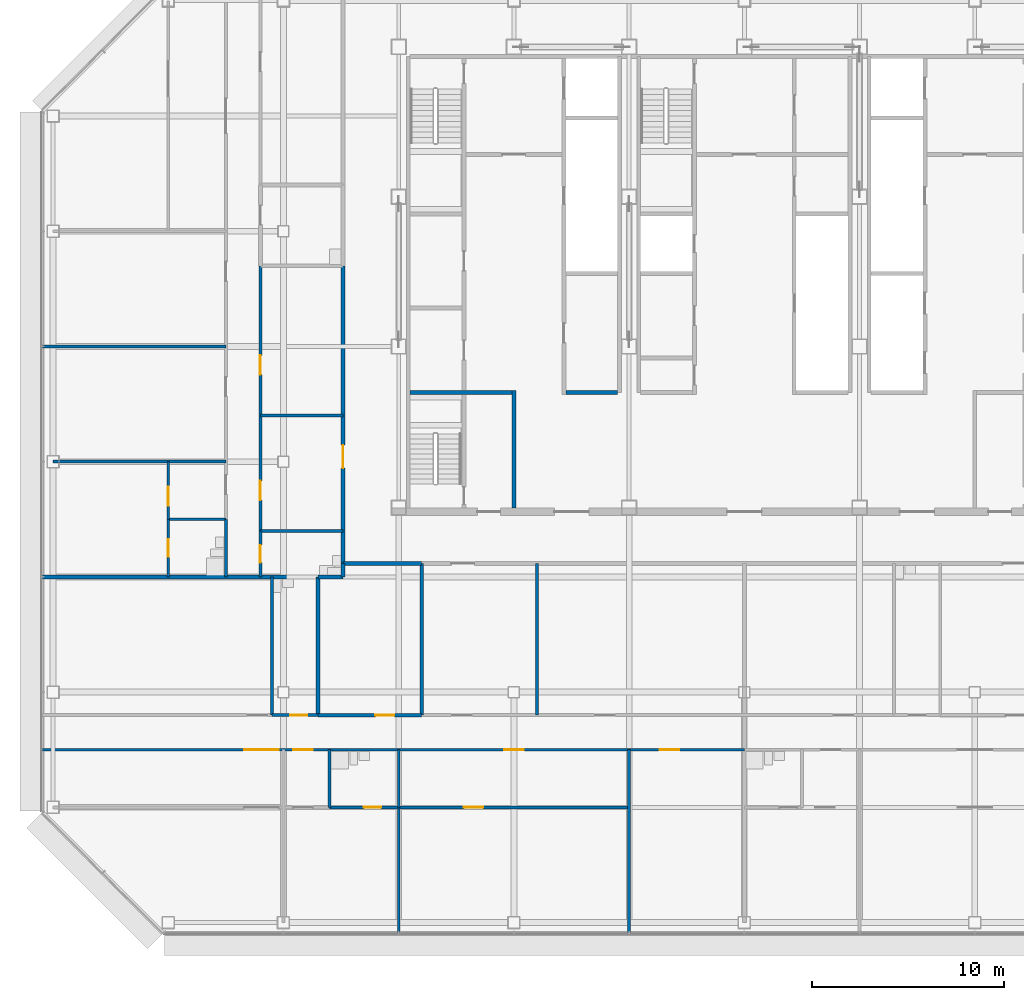
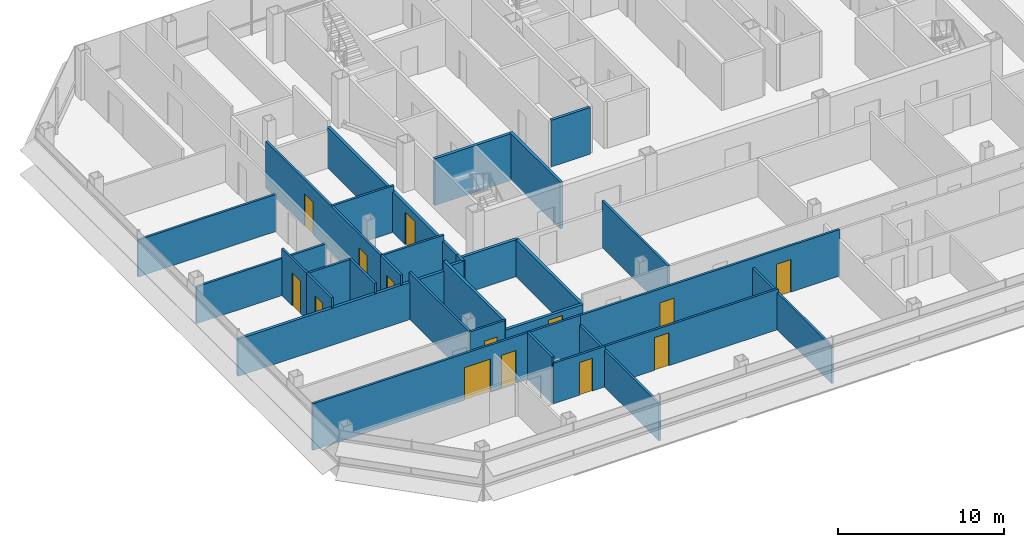
# One storey, part 20 of 26: 33 walls, 14 doors, 14 openings.
"""IFC4 building model written with IfcOpenShell, lengths in metres."""

from ifc_helpers import new_model, si_unit, direction, frame, frame_2d, origin, place, context, subcontext, project, spatial, rectangle, extrude, material, layer, layer_set, type_object, element, fill, save


model = new_model("IFC4")

# Units and contexts
model_context = context("Model", 3, precision=1e-05, world=origin(), true_north=direction((0.0, 1.0)))
body_context = subcontext(model_context, "Body", "Model", "MODEL_VIEW")
ifc_project = project(units=[si_unit("LENGTHUNIT", "METRE"), si_unit("AREAUNIT", "SQUARE_METRE"), si_unit("VOLUMEUNIT", "CUBIC_METRE"), si_unit("PLANEANGLEUNIT", "RADIAN"), si_unit("MASSUNIT", "GRAM", prefix="KILO")], contexts=[model_context])

# Site, building, storey
site_placement = place(None, origin())
site = spatial("IfcSite", under=ifc_project, at=site_placement, CompositionType="ELEMENT")
building_placement = place(site_placement, origin())
building = spatial("IfcBuilding", under=site, at=building_placement, Name="Sorahane Residences", CompositionType="ELEMENT")
storey_placement = place(building_placement, frame((0.0, 0.0, 219.0)))
storey = spatial("IfcBuildingStorey", under=building, at=storey_placement, Name="L51", CompositionType="ELEMENT", Elevation=219.0)

# Wall, opening, door
ifc_material_1 = material(Name="Concrete blockwork C20 wall", Category="masonry")
ifc_layer_1 = layer(ifc_material_1, 0.199951171875)
ifc_layer_set_1 = layer_set([ifc_layer_1], Name="Corridor wall 200 EI 120")
wall_type_1 = type_object("IfcWallType", Name="Corridor wall 200 EI 120", PredefinedType="SOLIDWALL", material=ifc_layer_set_1)
wall_1_placement = place(storey_placement, frame((3.10009765625, 18.699951171875, 0.0), z_axis=(0.0, 0.0, 1.0), x_axis=(0.0, 1.0, 0.0)))
wall_1 = element("IfcWall", 1, at=wall_1_placement, inside=storey, type_object=wall_type_1, Name="L51 corridor wall", PredefinedType="SOLIDWALL", context=body_context, shape_type="SweptSolid", body=[
    extrude(rectangle(XDim=15.5, YDim=0.199951171875, at=frame_2d((7.75, 0.0))), origin(), (0.0, 0.0, 1.0), 2.969970703125),
])
opening_1_placement = place(wall_1_placement, frame((4.9599609375, 0.0, 0.0)))
opening_1 = element("IfcOpeningElement", 2, at=opening_1_placement, cuts=wall_1, Name="Opening L51-40", PredefinedType="OPENING", context=body_context, shape_type="SweptSolid", body=[
    extrude(rectangle(XDim=1.199951171875, YDim=2.39990234375, at=frame_2d((0.60009765625, 1.199951171875))), frame((0.0, 0.10986328125, 0.0), z_axis=(0.0, -1.0, 0.0), x_axis=(1.0, 0.0, 0.0)), (0.0, 0.0, 1.0), 0.219970703125),
])
ifc_material_2 = material(Name="Timber veneered fire door", Category="wood")
door_type_1 = type_object("IfcDoorType", Name="Flat entrance door 1200x2400 FD60", OperationType="NOTDEFINED", PredefinedType="DOOR", material=ifc_material_2)
door_1_placement = place(opening_1_placement, origin())
door_1 = element("IfcDoor", 3, at=door_1_placement, inside=storey, type_object=door_type_1, Name="Flat entrance door L51-40", OperationType="SINGLE_SWING_LEFT", OverallHeight=2.39990234375, OverallWidth=1.199951171875, PredefinedType="DOOR", context=body_context, shape_type="SweptSolid", body=[
    extrude(rectangle(XDim=1.199951171875, YDim=2.39990234375, at=frame_2d((0.60009765625, 1.199951171875))), frame((0.0, 0.02490234375, 0.0), z_axis=(0.0, -1.0, 0.0), x_axis=(1.0, 0.0, 0.0)), (0.0, 0.0, 1.0), 0.050048828125),
])
fill(opening_1, door_1)

# Walls
ifc_material_3 = material(Name="Concrete C30", Category="concrete")
ifc_layer_2 = layer(ifc_material_3, 0.199951171875)
ifc_layer_set_2 = layer_set([ifc_layer_2], Name="Front room wall 200 EI 120")
wall_type_2 = type_object("IfcWallType", Name="Front room wall 200 EI 120", PredefinedType="PARTITIONING", material=ifc_layer_set_2)
wall_2_placement = place(storey_placement, frame((12.0, 21.60009765625, 0.0), z_axis=(0.0, 0.0, 1.0), x_axis=(0.0, 1.0, 0.0)))
element("IfcWall", 4, at=wall_2_placement, inside=storey, type_object=wall_type_2, Name="L51 front room wall", PredefinedType="PARTITIONING", context=body_context, shape_type="SweptSolid", body=[
    extrude(rectangle(XDim=6.099853515625, YDim=0.199951171875, at=frame_2d((3.0498046875, 0.0))), origin(), (0.0, 0.0, 1.0), 3.419921875),
])
ifc_material_4 = material(Name="Concrete blockwork C20 wall", Category="masonry")
ifc_layer_3 = layer(ifc_material_4, 0.199951171875)
ifc_layer_set_3 = layer_set([ifc_layer_3], Name="Kitchen wall 200 EI 180")
wall_type_3 = type_object("IfcWallType", Name="Kitchen wall 200 EI 180", PredefinedType="SOLIDWALL", material=ifc_layer_set_3)
wall_3_placement = place(storey_placement, frame((1.800048828125, 10.800048828125, 0.0), z_axis=(0.0, 0.0, 1.0), x_axis=(0.0, 1.0, 0.0)))
element("IfcWall", 5, at=wall_3_placement, inside=storey, type_object=wall_type_3, Name="L51 kitchen wall", PredefinedType="SOLIDWALL", context=body_context, shape_type="SweptSolid", body=[
    extrude(rectangle(XDim=7.199951171875, YDim=0.199951171875, at=frame_2d((3.60009765625, 0.0))), origin(), (0.0, 0.0, 1.0), 3.419921875),
])
wall_4_placement = place(storey_placement, frame((3.10009765625, 18.0, 0.0), z_axis=(0.0, 0.0, 1.0), x_axis=(0.0, 1.0, 0.0)))
element("IfcWall", 6, at=wall_4_placement, inside=storey, type_object=wall_type_3, Name="L51 kitchen wall", PredefinedType="SOLIDWALL", context=body_context, shape_type="SweptSolid", body=[
    extrude(rectangle(XDim=0.699951171875, YDim=0.199951171875, at=frame_2d((0.35009765625, 0.0))), origin(), (0.0, 0.0, 1.0), 2.969970703125),
])
wall_5_placement = place(storey_placement, frame((7.199951171875, 10.800048828125, 0.0), z_axis=(0.0, 0.0, 1.0), x_axis=(0.0, 1.0, 0.0)))
element("IfcWall", 7, at=wall_5_placement, inside=storey, type_object=wall_type_3, Name="L51 kitchen wall", PredefinedType="SOLIDWALL", context=body_context, shape_type="SweptSolid", body=[
    extrude(rectangle(XDim=7.89990234375, YDim=0.199951171875, at=frame_2d((3.949951171875, 0.0))), origin(), (0.0, 0.0, 1.0), 2.719970703125),
])

# Wall, opening, door
wall_6_placement = place(storey_placement, frame((1.800048828125, 10.800048828125, 0.0), z_axis=(0.0, 0.0, 1.0), x_axis=(1.0, 0.0, 0.0)))
wall_6 = element("IfcWall", 8, at=wall_6_placement, inside=storey, type_object=wall_type_3, Name="L51 kitchen wall", PredefinedType="SOLIDWALL", context=body_context, shape_type="SweptSolid", body=[
    extrude(rectangle(XDim=5.39990234375, YDim=0.199951171875, at=frame_2d((2.699951171875, 0.0))), origin(), (0.0, 0.0, 1.0), 2.719970703125),
])
opening_2_placement = place(wall_6_placement, frame((2.97998046875, 0.0, 0.0)))
opening_2 = element("IfcOpeningElement", 9, at=opening_2_placement, cuts=wall_6, Name="Opening L51-04", PredefinedType="OPENING", context=body_context, shape_type="SweptSolid", body=[
    extrude(rectangle(XDim=1.0, YDim=2.39990234375, at=frame_2d((0.5, 1.199951171875))), frame((0.0, 0.10986328125, 0.0), z_axis=(0.0, -1.0, 0.0), x_axis=(1.0, 0.0, 0.0)), (0.0, 0.0, 1.0), 0.219970703125),
])
ifc_material_5 = material(Name="Steel", Category="steel")
door_type_2 = type_object("IfcDoorType", Name="Kitchen door 1000x2400 FD120", OperationType="NOTDEFINED", PredefinedType="DOOR", material=ifc_material_5)
door_2_placement = place(opening_2_placement, origin())
door_2 = element("IfcDoor", 10, at=door_2_placement, inside=storey, type_object=door_type_2, Name="Kitchen door L51-04", OperationType="SINGLE_SWING_RIGHT", OverallHeight=2.39990234375, OverallWidth=1.0, PredefinedType="DOOR", context=body_context, shape_type="SweptSolid", body=[
    extrude(rectangle(XDim=1.0, YDim=2.39990234375, at=frame_2d((0.5, 1.199951171875))), frame((0.0, 0.02490234375, 0.0), z_axis=(0.0, -1.0, 0.0), x_axis=(1.0, 0.0, 0.0)), (0.0, 0.0, 1.0), 0.050048828125),
])
fill(opening_2, door_2)

# Walls
wall_7_placement = place(storey_placement, frame((1.800048828125, 18.0, 0.0), z_axis=(0.0, 0.0, 1.0), x_axis=(1.0, 0.0, 0.0)))
element("IfcWall", 11, at=wall_7_placement, inside=storey, type_object=wall_type_3, Name="L51 kitchen wall", PredefinedType="SOLIDWALL", context=body_context, shape_type="SweptSolid", body=[
    extrude(rectangle(XDim=1.300048828125, YDim=0.199951171875, at=frame_2d((0.64990234375, 0.0))), origin(), (0.0, 0.0, 1.0), 2.969970703125),
])
wall_8_placement = place(storey_placement, frame((3.10009765625, 18.699951171875, 0.0), z_axis=(0.0, 0.0, 1.0), x_axis=(1.0, 0.0, 0.0)))
element("IfcWall", 12, at=wall_8_placement, inside=storey, type_object=wall_type_3, Name="L51 kitchen wall", PredefinedType="SOLIDWALL", context=body_context, shape_type="SweptSolid", body=[
    extrude(rectangle(XDim=4.099853515625, YDim=0.199951171875, at=frame_2d((2.0498046875, 0.0))), origin(), (0.0, 0.0, 1.0), 2.719970703125),
])

# Wall, openings, doors
ifc_material_6 = material(Name="Gypsum board partition on steel studs", Category="steel")
ifc_layer_4 = layer(ifc_material_6, 0.14990234375)
ifc_layer_set_4 = layer_set([ifc_layer_4], Name="Partition 150 EI 90")
wall_type_4 = type_object("IfcWallType", Name="Partition 150 EI 90", PredefinedType="PARTITIONING", material=ifc_layer_set_4)
wall_9_placement = place(storey_placement, frame((-1.199951171875, 20.39990234375, 0.0), z_axis=(0.0, 0.0, 1.0), x_axis=(0.0, 1.0, 0.0)))
wall_9 = element("IfcWall", 13, at=wall_9_placement, inside=storey, type_object=wall_type_4, Name="L51 partition", PredefinedType="PARTITIONING", context=body_context, shape_type="SweptSolid", body=[
    extrude(rectangle(XDim=13.800048828125, YDim=0.14990234375, at=frame_2d((6.89990234375, 0.0))), origin(), (0.0, 0.0, 1.0), 3.419921875),
])
opening_3_placement = place(wall_9_placement, frame((1.60009765625, 0.0, 0.0)))
opening_3 = element("IfcOpeningElement", 14, at=opening_3_placement, cuts=wall_9, Name="Opening L51-26", PredefinedType="OPENING", context=body_context, shape_type="SweptSolid", body=[
    extrude(rectangle(XDim=1.0, YDim=2.39990234375, at=frame_2d((0.5, 1.199951171875))), frame((0.0, 0.0849609375, 0.0), z_axis=(0.0, -1.0, 0.0), x_axis=(1.0, 0.0, 0.0)), (0.0, 0.0, 1.0), 0.169921875),
])
opening_4_placement = place(wall_9_placement, frame((8.139892578125, 0.0, 0.0)))
opening_4 = element("IfcOpeningElement", 15, at=opening_4_placement, cuts=wall_9, Name="Opening L51-28", PredefinedType="OPENING", context=body_context, shape_type="SweptSolid", body=[
    extrude(rectangle(XDim=1.0, YDim=2.39990234375, at=frame_2d((0.5, 1.199951171875))), frame((0.0, 0.0849609375, 0.0), z_axis=(0.0, -1.0, 0.0), x_axis=(1.0, 0.0, 0.0)), (0.0, 0.0, 1.0), 0.169921875),
])
ifc_material_7 = material(Name="Timber veneered fire door", Category="wood")
door_type_3 = type_object("IfcDoorType", Name="Room door 1000x2400 FD30", OperationType="NOTDEFINED", PredefinedType="DOOR", material=ifc_material_7)
door_3_placement = place(opening_3_placement, origin())
door_3 = element("IfcDoor", 16, at=door_3_placement, inside=storey, type_object=door_type_3, Name="Room door L51-26", OperationType="SINGLE_SWING_RIGHT", OverallHeight=2.39990234375, OverallWidth=1.0, PredefinedType="DOOR", context=body_context, shape_type="SweptSolid", body=[
    extrude(rectangle(XDim=1.0, YDim=2.39990234375, at=frame_2d((0.5, 1.199951171875))), frame((0.0, 0.02490234375, 0.0), z_axis=(0.0, -1.0, 0.0), x_axis=(1.0, 0.0, 0.0)), (0.0, 0.0, 1.0), 0.050048828125),
])
fill(opening_3, door_3)
door_4_placement = place(opening_4_placement, frame((1.0, 0.0, 0.0), z_axis=(0.0, 0.0, 1.0), x_axis=(-1.0, 0.0, 0.0)))
door_4 = element("IfcDoor", 17, at=door_4_placement, inside=storey, type_object=door_type_3, Name="Room door L51-28", OperationType="SINGLE_SWING_RIGHT", OverallHeight=2.39990234375, OverallWidth=1.0, PredefinedType="DOOR", context=body_context, shape_type="SweptSolid", body=[
    extrude(rectangle(XDim=1.0, YDim=2.39990234375, at=frame_2d((0.5, 1.199951171875))), frame((0.0, 0.02490234375, 0.0), z_axis=(0.0, -1.0, 0.0), x_axis=(1.0, 0.0, 0.0)), (0.0, 0.0, 1.0), 0.050048828125),
])
fill(opening_4, door_4)

# Wall, opening, door
wall_10_placement = place(storey_placement, frame((-6.0, 21.0, 0.0), z_axis=(0.0, 0.0, 1.0), x_axis=(0.0, 1.0, 0.0)))
wall_10 = element("IfcWall", 18, at=wall_10_placement, inside=storey, type_object=wall_type_4, Name="L51 partition", PredefinedType="PARTITIONING", context=body_context, shape_type="SweptSolid", body=[
    extrude(rectangle(XDim=3.0, YDim=0.14990234375, at=frame_2d((1.5, 0.0))), origin(), (0.0, 0.0, 1.0), 3.419921875),
])
opening_5_placement = place(wall_10_placement, frame((0.699951171875, 0.0, 0.0)))
opening_5 = element("IfcOpeningElement", 19, at=opening_5_placement, cuts=wall_10, Name="Opening L51-35", PredefinedType="OPENING", context=body_context, shape_type="SweptSolid", body=[
    extrude(rectangle(XDim=1.0, YDim=2.39990234375, at=frame_2d((0.5, 1.199951171875))), frame((0.0, 0.0849609375, 0.0), z_axis=(0.0, -1.0, 0.0), x_axis=(1.0, 0.0, 0.0)), (0.0, 0.0, 1.0), 0.169921875),
])
door_5_placement = place(opening_5_placement, origin())
door_5 = element("IfcDoor", 20, at=door_5_placement, inside=storey, type_object=door_type_3, Name="Room door L51-35", OperationType="SINGLE_SWING_RIGHT", OverallHeight=2.39990234375, OverallWidth=1.0, PredefinedType="DOOR", context=body_context, shape_type="SweptSolid", body=[
    extrude(rectangle(XDim=1.0, YDim=2.39990234375, at=frame_2d((0.5, 1.199951171875))), frame((0.0, 0.02490234375, 0.0), z_axis=(0.0, -1.0, 0.0), x_axis=(1.0, 0.0, 0.0)), (0.0, 0.0, 1.0), 0.050048828125),
])
fill(opening_5, door_5)

# Walls
wall_11_placement = place(storey_placement, frame((13.199951171875, 10.800048828125, 0.0), z_axis=(0.0, 0.0, 1.0), x_axis=(0.0, 1.0, 0.0)))
element("IfcWall", 21, at=wall_11_placement, inside=storey, type_object=wall_type_4, Name="L51 partition", PredefinedType="PARTITIONING", context=body_context, shape_type="SweptSolid", body=[
    extrude(rectangle(XDim=7.89990234375, YDim=0.14990234375, at=frame_2d((3.949951171875, 0.0))), origin(), (0.0, 0.0, 1.0), 3.419921875),
])
wall_12_placement = place(storey_placement, frame((18.0, -0.60009765625, 0.0), z_axis=(0.0, 0.0, 1.0), x_axis=(0.0, 1.0, 0.0)))
element("IfcWall", 22, at=wall_12_placement, inside=storey, type_object=wall_type_4, Name="L51 partition", PredefinedType="PARTITIONING", context=body_context, shape_type="SweptSolid", body=[
    extrude(rectangle(XDim=9.60009765625, YDim=0.14990234375, at=frame_2d((4.800048828125, 0.0))), origin(), (0.0, 0.0, 1.0), 2.719970703125),
])
wall_13_placement = place(storey_placement, frame((6.0, -0.60009765625, 0.0), z_axis=(0.0, 0.0, 1.0), x_axis=(0.0, 1.0, 0.0)))
element("IfcWall", 23, at=wall_13_placement, inside=storey, type_object=wall_type_4, Name="L51 partition", PredefinedType="PARTITIONING", context=body_context, shape_type="SweptSolid", body=[
    extrude(rectangle(XDim=6.60009765625, YDim=0.14990234375, at=frame_2d((3.300048828125, 0.0))), origin(), (0.0, 0.0, 1.0), 2.719970703125),
])
wall_14_placement = place(storey_placement, frame((-12.0, 24.0, 0.0), z_axis=(0.0, 0.0, 1.0), x_axis=(1.0, 0.0, 0.0)))
element("IfcWall", 24, at=wall_14_placement, inside=storey, type_object=wall_type_4, Name="L51 partition", PredefinedType="PARTITIONING", context=body_context, shape_type="SweptSolid", body=[
    extrude(rectangle(XDim=9.0, YDim=0.14990234375, at=frame_2d((4.5, 0.0))), origin(), (0.0, 0.0, 1.0), 2.719970703125),
])
wall_15_placement = place(storey_placement, frame((-1.199951171875, 26.39990234375, 0.0), z_axis=(0.0, 0.0, 1.0), x_axis=(1.0, 0.0, 0.0)))
element("IfcWall", 25, at=wall_15_placement, inside=storey, type_object=wall_type_4, Name="L51 partition", PredefinedType="PARTITIONING", context=body_context, shape_type="SweptSolid", body=[
    extrude(rectangle(XDim=4.300048828125, YDim=0.14990234375, at=frame_2d((2.14990234375, 0.0))), origin(), (0.0, 0.0, 1.0), 3.419921875),
])
wall_16_placement = place(storey_placement, frame((-12.60009765625, 30.0, 0.0), z_axis=(0.0, 0.0, 1.0), x_axis=(1.0, 0.0, 0.0)))
element("IfcWall", 26, at=wall_16_placement, inside=storey, type_object=wall_type_4, Name="L51 partition", PredefinedType="PARTITIONING", context=body_context, shape_type="SweptSolid", body=[
    extrude(rectangle(XDim=9.60009765625, YDim=0.14990234375, at=frame_2d((4.800048828125, 0.0))), origin(), (0.0, 0.0, 1.0), 2.719970703125),
])

# Wall, opening, door
wall_17_placement = place(storey_placement, frame((6.0, 6.0, 0.0), z_axis=(0.0, 0.0, 1.0), x_axis=(1.0, 0.0, 0.0)))
wall_17 = element("IfcWall", 27, at=wall_17_placement, inside=storey, type_object=wall_type_4, Name="L51 partition", PredefinedType="PARTITIONING", context=body_context, shape_type="SweptSolid", body=[
    extrude(rectangle(XDim=12.0, YDim=0.14990234375, at=frame_2d((6.0, 0.0))), origin(), (0.0, 0.0, 1.0), 2.969970703125),
])
opening_6_placement = place(wall_17_placement, frame((3.39990234375, 0.0, 0.0)))
opening_6 = element("IfcOpeningElement", 28, at=opening_6_placement, cuts=wall_17, Name="Opening L51-13", PredefinedType="OPENING", context=body_context, shape_type="SweptSolid", body=[
    extrude(rectangle(XDim=1.0, YDim=2.39990234375, at=frame_2d((0.5, 1.199951171875))), frame((0.0, 0.0849609375, 0.0), z_axis=(0.0, -1.0, 0.0), x_axis=(1.0, 0.0, 0.0)), (0.0, 0.0, 1.0), 0.169921875),
])
door_6_placement = place(opening_6_placement, frame((1.0, 0.0, 0.0), z_axis=(0.0, 0.0, 1.0), x_axis=(-1.0, 0.0, 0.0)))
door_6 = element("IfcDoor", 29, at=door_6_placement, inside=storey, type_object=door_type_3, Name="Room door L51-13", OperationType="SINGLE_SWING_RIGHT", OverallHeight=2.39990234375, OverallWidth=1.0, PredefinedType="DOOR", context=body_context, shape_type="SweptSolid", body=[
    extrude(rectangle(XDim=1.0, YDim=2.39990234375, at=frame_2d((0.5, 1.199951171875))), frame((0.0, 0.02490234375, 0.0), z_axis=(0.0, -1.0, 0.0), x_axis=(1.0, 0.0, 0.0)), (0.0, 0.0, 1.0), 0.050048828125),
])
fill(opening_6, door_6)

# Wall, openings, doors
wall_18_placement = place(storey_placement, frame((-12.60009765625, 9.0, 0.0), z_axis=(0.0, 0.0, 1.0), x_axis=(1.0, 0.0, 0.0)))
wall_18 = element("IfcWall", 30, at=wall_18_placement, inside=storey, type_object=wall_type_4, Name="L51 partition", PredefinedType="PARTITIONING", context=body_context, shape_type="SweptSolid", body=[
    extrude(rectangle(XDim=15.0, YDim=0.14990234375, at=frame_2d((7.5, 0.0))), origin(), (0.0, 0.0, 1.0), 3.419921875),
])
opening_7_placement = place(wall_18_placement, frame((10.550048828125, 0.0, 0.0)))
opening_7 = element("IfcOpeningElement", 31, at=opening_7_placement, cuts=wall_18, Name="Opening L51-06", PredefinedType="OPENING", context=body_context, shape_type="SweptSolid", body=[
    extrude(rectangle(XDim=1.800048828125, YDim=2.39990234375, at=frame_2d((0.89990234375, 1.199951171875))), frame((0.0, 0.0849609375, 0.0), z_axis=(0.0, -1.0, 0.0), x_axis=(1.0, 0.0, 0.0)), (0.0, 0.0, 1.0), 0.169921875),
])
opening_8_placement = place(wall_18_placement, frame((13.1201171875, 0.0, 0.0)))
opening_8 = element("IfcOpeningElement", 32, at=opening_8_placement, cuts=wall_18, Name="Opening L51-07", PredefinedType="OPENING", context=body_context, shape_type="SweptSolid", body=[
    extrude(rectangle(XDim=1.0, YDim=2.39990234375, at=frame_2d((0.5, 1.199951171875))), frame((0.0, 0.0849609375, 0.0), z_axis=(0.0, -1.0, 0.0), x_axis=(1.0, 0.0, 0.0)), (0.0, 0.0, 1.0), 0.169921875),
])
ifc_material_8 = material(Name="Timber veneered fire door", Category="wood")
door_type_4 = type_object("IfcDoorType", Name="Double door 1800x2400 FD30", OperationType="NOTDEFINED", PredefinedType="DOOR", material=ifc_material_8)
door_7_placement = place(opening_7_placement, frame((1.800048828125, 0.0, 0.0), z_axis=(0.0, 0.0, 1.0), x_axis=(-1.0, 0.0, 0.0)))
door_7 = element("IfcDoor", 33, at=door_7_placement, inside=storey, type_object=door_type_4, Name="Double door L51-06", OperationType="SINGLE_SWING_LEFT", OverallHeight=2.39990234375, OverallWidth=1.800048828125, PredefinedType="DOOR", context=body_context, shape_type="SweptSolid", body=[
    extrude(rectangle(XDim=1.800048828125, YDim=2.39990234375, at=frame_2d((0.89990234375, 1.199951171875))), frame((0.0, 0.02490234375, 0.0), z_axis=(0.0, -1.0, 0.0), x_axis=(1.0, 0.0, 0.0)), (0.0, 0.0, 1.0), 0.050048828125),
])
fill(opening_7, door_7)
door_8_placement = place(opening_8_placement, frame((1.0, 0.0, 0.0), z_axis=(0.0, 0.0, 1.0), x_axis=(-1.0, 0.0, 0.0)))
door_8 = element("IfcDoor", 34, at=door_8_placement, inside=storey, type_object=door_type_3, Name="Room door L51-07", OperationType="SINGLE_SWING_LEFT", OverallHeight=2.39990234375, OverallWidth=1.0, PredefinedType="DOOR", context=body_context, shape_type="SweptSolid", body=[
    extrude(rectangle(XDim=1.0, YDim=2.39990234375, at=frame_2d((0.5, 1.199951171875))), frame((0.0, 0.02490234375, 0.0), z_axis=(0.0, -1.0, 0.0), x_axis=(1.0, 0.0, 0.0)), (0.0, 0.0, 1.0), 0.050048828125),
])
fill(opening_8, door_8)

wall_19_placement = place(storey_placement, frame((6.0, 9.0, 0.0), z_axis=(0.0, 0.0, 1.0), x_axis=(1.0, 0.0, 0.0)))
wall_19 = element("IfcWall", 35, at=wall_19_placement, inside=storey, type_object=wall_type_4, Name="L51 partition", PredefinedType="PARTITIONING", context=body_context, shape_type="SweptSolid", body=[
    extrude(rectangle(XDim=18.0, YDim=0.14990234375, at=frame_2d((9.0, 0.0))), origin(), (0.0, 0.0, 1.0), 3.419921875),
])
opening_9_placement = place(wall_19_placement, frame((5.5, 0.0, 0.0)))
opening_9 = element("IfcOpeningElement", 36, at=opening_9_placement, cuts=wall_19, Name="Opening L51-08", PredefinedType="OPENING", context=body_context, shape_type="SweptSolid", body=[
    extrude(rectangle(XDim=1.0, YDim=2.39990234375, at=frame_2d((0.5, 1.199951171875))), frame((0.0, 0.0849609375, 0.0), z_axis=(0.0, -1.0, 0.0), x_axis=(1.0, 0.0, 0.0)), (0.0, 0.0, 1.0), 0.169921875),
])
opening_10_placement = place(wall_19_placement, frame((13.60009765625, 0.0, 0.0)))
opening_10 = element("IfcOpeningElement", 37, at=opening_10_placement, cuts=wall_19, Name="Opening L51-09", PredefinedType="OPENING", context=body_context, shape_type="SweptSolid", body=[
    extrude(rectangle(XDim=1.0, YDim=2.39990234375, at=frame_2d((0.5, 1.199951171875))), frame((0.0, 0.0849609375, 0.0), z_axis=(0.0, -1.0, 0.0), x_axis=(1.0, 0.0, 0.0)), (0.0, 0.0, 1.0), 0.169921875),
])
door_9_placement = place(opening_9_placement, frame((1.0, 0.0, 0.0), z_axis=(0.0, 0.0, 1.0), x_axis=(-1.0, 0.0, 0.0)))
door_9 = element("IfcDoor", 38, at=door_9_placement, inside=storey, type_object=door_type_3, Name="Room door L51-08", OperationType="SINGLE_SWING_LEFT", OverallHeight=2.39990234375, OverallWidth=1.0, PredefinedType="DOOR", context=body_context, shape_type="SweptSolid", body=[
    extrude(rectangle(XDim=1.0, YDim=2.39990234375, at=frame_2d((0.5, 1.199951171875))), frame((0.0, 0.02490234375, 0.0), z_axis=(0.0, -1.0, 0.0), x_axis=(1.0, 0.0, 0.0)), (0.0, 0.0, 1.0), 0.050048828125),
])
fill(opening_9, door_9)
door_10_placement = place(opening_10_placement, frame((1.0, 0.0, 0.0), z_axis=(0.0, 0.0, 1.0), x_axis=(-1.0, 0.0, 0.0)))
door_10 = element("IfcDoor", 39, at=door_10_placement, inside=storey, type_object=door_type_3, Name="Room door L51-09", OperationType="SINGLE_SWING_LEFT", OverallHeight=2.39990234375, OverallWidth=1.0, PredefinedType="DOOR", context=body_context, shape_type="SweptSolid", body=[
    extrude(rectangle(XDim=1.0, YDim=2.39990234375, at=frame_2d((0.5, 1.199951171875))), frame((0.0, 0.02490234375, 0.0), z_axis=(0.0, -1.0, 0.0), x_axis=(1.0, 0.0, 0.0)), (0.0, 0.0, 1.0), 0.050048828125),
])
fill(opening_10, door_10)

# Walls
ifc_material_9 = material(Name="Concrete blockwork C20 wall", Category="masonry")
ifc_layer_5 = layer(ifc_material_9, 0.199951171875)
ifc_layer_set_5 = layer_set([ifc_layer_5], Name="Party wall 200 EI 120")
wall_type_5 = type_object("IfcWallType", Name="Party wall 200 EI 120", PredefinedType="SOLIDWALL", material=ifc_layer_set_5)
wall_20_placement = place(storey_placement, frame((-12.60009765625, 18.0, 0.0), z_axis=(0.0, 0.0, 1.0), x_axis=(1.0, 0.0, 0.0)))
element("IfcWall", 40, at=wall_20_placement, inside=storey, type_object=wall_type_5, Name="L51 party wall", PredefinedType="SOLIDWALL", context=body_context, shape_type="SweptSolid", body=[
    extrude(rectangle(XDim=14.400146484375, YDim=0.199951171875, at=frame_2d((7.2001953125, 0.0))), origin(), (0.0, 0.0, 1.0), 2.719970703125),
])
ifc_material_10 = material(Name="Concrete C30", Category="concrete")
ifc_layer_6 = layer(ifc_material_10, 0.199951171875)
ifc_layer_set_6 = layer_set([ifc_layer_6], Name="Service room partition 200 EI 60")
wall_type_6 = type_object("IfcWallType", Name="Service room partition 200 EI 60", PredefinedType="PARTITIONING", material=ifc_layer_set_6)
wall_21_placement = place(storey_placement, frame((14.699951171875, 27.60009765625, 0.0), z_axis=(0.0, 0.0, 1.0), x_axis=(1.0, 0.0, 0.0)))
element("IfcWall", 41, at=wall_21_placement, inside=storey, type_object=wall_type_6, Name="L51 service room wall", PredefinedType="PARTITIONING", context=body_context, shape_type="SweptSolid", body=[
    extrude(rectangle(XDim=2.699951171875, YDim=0.199951171875, at=frame_2d((1.35009765625, 0.0))), origin(), (0.0, 0.0, 1.0), 3.419921875),
])
ifc_material_11 = material(Name="Concrete C30", Category="concrete")
ifc_layer_7 = layer(ifc_material_11, 0.199951171875)
ifc_layer_set_7 = layer_set([ifc_layer_7], Name="Stair enclosure wall 200 EI 120")
wall_type_7 = type_object("IfcWallType", Name="Stair enclosure wall 200 EI 120", PredefinedType="SOLIDWALL", material=ifc_layer_set_7)
wall_22_placement = place(storey_placement, frame((6.60009765625, 27.60009765625, 0.0), z_axis=(0.0, 0.0, 1.0), x_axis=(1.0, 0.0, 0.0)))
element("IfcWall", 42, at=wall_22_placement, inside=storey, type_object=wall_type_7, Name="L51 stair enclosure wall", PredefinedType="SOLIDWALL", context=body_context, shape_type="SweptSolid", body=[
    extrude(rectangle(XDim=5.2998046875, YDim=0.199951171875, at=frame_2d((2.64990234375, 0.0))), origin(), (0.0, 0.0, 1.0), 3.419921875),
])
ifc_material_12 = material(Name="Gypsum board partition on steel studs", Category="steel")
ifc_layer_8 = layer(ifc_material_12, 0.14990234375)
ifc_layer_set_8 = layer_set([ifc_layer_8], Name="Wet wall 150 EI 90")
wall_type_8 = type_object("IfcWallType", Name="Wet wall 150 EI 90", PredefinedType="PARTITIONING", material=ifc_layer_set_8)
wall_23_placement = place(storey_placement, frame((-0.60009765625, 10.800048828125, 0.0), z_axis=(0.0, 0.0, 1.0), x_axis=(0.0, 1.0, 0.0)))
element("IfcWall", 43, at=wall_23_placement, inside=storey, type_object=wall_type_8, Name="L51 wet wall", PredefinedType="PARTITIONING", context=body_context, shape_type="SweptSolid", body=[
    extrude(rectangle(XDim=7.199951171875, YDim=0.14990234375, at=frame_2d((3.60009765625, 0.0))), origin(), (0.0, 0.0, 1.0), 3.419921875),
])

# Wall, opening, door
wall_24_placement = place(storey_placement, frame((-1.199951171875, 18.0, 0.0), z_axis=(0.0, 0.0, 1.0), x_axis=(0.0, 1.0, 0.0)))
wall_24 = element("IfcWall", 44, at=wall_24_placement, inside=storey, type_object=wall_type_8, Name="L51 wet wall", PredefinedType="PARTITIONING", context=body_context, shape_type="SweptSolid", body=[
    extrude(rectangle(XDim=2.39990234375, YDim=0.14990234375, at=frame_2d((1.199951171875, 0.0))), origin(), (0.0, 0.0, 1.0), 3.419921875),
])
opening_11_placement = place(wall_24_placement, frame((0.75, 0.0, 0.0)))
opening_11 = element("IfcOpeningElement", 45, at=opening_11_placement, cuts=wall_24, Name="Opening L51-27", PredefinedType="OPENING", context=body_context, shape_type="SweptSolid", body=[
    extrude(rectangle(XDim=0.89990234375, YDim=2.39990234375, at=frame_2d((0.449951171875, 1.199951171875))), frame((0.0, 0.0849609375, 0.0), z_axis=(0.0, -1.0, 0.0), x_axis=(1.0, 0.0, 0.0)), (0.0, 0.0, 1.0), 0.169921875),
])
ifc_material_13 = material(Name="Timber veneered fire door", Category="wood")
door_type_5 = type_object("IfcDoorType", Name="Bathroom door 900x2400 FD30", OperationType="NOTDEFINED", PredefinedType="DOOR", material=ifc_material_13)
door_11_placement = place(opening_11_placement, origin())
door_11 = element("IfcDoor", 46, at=door_11_placement, inside=storey, type_object=door_type_5, Name="Bathroom door L51-27", OperationType="SINGLE_SWING_RIGHT", OverallHeight=2.39990234375, OverallWidth=0.89990234375, PredefinedType="DOOR", context=body_context, shape_type="SweptSolid", body=[
    extrude(rectangle(XDim=0.89990234375, YDim=2.39990234375, at=frame_2d((0.449951171875, 1.199951171875))), frame((0.0, 0.02490234375, 0.0), z_axis=(0.0, -1.0, 0.0), x_axis=(1.0, 0.0, 0.0)), (0.0, 0.0, 1.0), 0.050048828125),
])
fill(opening_11, door_11)

# Wall
wall_25_placement = place(storey_placement, frame((-3.0, 18.0, 0.0), z_axis=(0.0, 0.0, 1.0), x_axis=(0.0, 1.0, 0.0)))
element("IfcWall", 47, at=wall_25_placement, inside=storey, type_object=wall_type_8, Name="L51 wet wall", PredefinedType="PARTITIONING", context=body_context, shape_type="SweptSolid", body=[
    extrude(rectangle(XDim=3.0, YDim=0.14990234375, at=frame_2d((1.5, 0.0))), origin(), (0.0, 0.0, 1.0), 3.419921875),
])

# Wall, opening, door
wall_26_placement = place(storey_placement, frame((-6.0, 18.0, 0.0), z_axis=(0.0, 0.0, 1.0), x_axis=(0.0, 1.0, 0.0)))
wall_26 = element("IfcWall", 48, at=wall_26_placement, inside=storey, type_object=wall_type_8, Name="L51 wet wall", PredefinedType="PARTITIONING", context=body_context, shape_type="SweptSolid", body=[
    extrude(rectangle(XDim=3.0, YDim=0.14990234375, at=frame_2d((1.5, 0.0))), origin(), (0.0, 0.0, 1.0), 3.419921875),
])
opening_12_placement = place(wall_26_placement, frame((1.050048828125, 0.0, 0.0)))
opening_12 = element("IfcOpeningElement", 49, at=opening_12_placement, cuts=wall_26, Name="Opening L51-36", PredefinedType="OPENING", context=body_context, shape_type="SweptSolid", body=[
    extrude(rectangle(XDim=0.89990234375, YDim=2.39990234375, at=frame_2d((0.449951171875, 1.199951171875))), frame((0.0, 0.0849609375, 0.0), z_axis=(0.0, -1.0, 0.0), x_axis=(1.0, 0.0, 0.0)), (0.0, 0.0, 1.0), 0.169921875),
])
door_12_placement = place(opening_12_placement, origin())
door_12 = element("IfcDoor", 50, at=door_12_placement, inside=storey, type_object=door_type_5, Name="Bathroom door L51-36", OperationType="SINGLE_SWING_LEFT", OverallHeight=2.39990234375, OverallWidth=0.89990234375, PredefinedType="DOOR", context=body_context, shape_type="SweptSolid", body=[
    extrude(rectangle(XDim=0.89990234375, YDim=2.39990234375, at=frame_2d((0.449951171875, 1.199951171875))), frame((0.0, 0.02490234375, 0.0), z_axis=(0.0, -1.0, 0.0), x_axis=(1.0, 0.0, 0.0)), (0.0, 0.0, 1.0), 0.050048828125),
])
fill(opening_12, door_12)

# Walls
wall_27_placement = place(storey_placement, frame((2.39990234375, 6.0, 0.0), z_axis=(0.0, 0.0, 1.0), x_axis=(0.0, 1.0, 0.0)))
element("IfcWall", 51, at=wall_27_placement, inside=storey, type_object=wall_type_8, Name="L51 wet wall", PredefinedType="PARTITIONING", context=body_context, shape_type="SweptSolid", body=[
    extrude(rectangle(XDim=3.0, YDim=0.14990234375, at=frame_2d((1.5, 0.0))), origin(), (0.0, 0.0, 1.0), 3.419921875),
])
wall_28_placement = place(storey_placement, frame((6.0, 6.0, 0.0), z_axis=(0.0, 0.0, 1.0), x_axis=(0.0, 1.0, 0.0)))
element("IfcWall", 52, at=wall_28_placement, inside=storey, type_object=wall_type_8, Name="L51 wet wall", PredefinedType="PARTITIONING", context=body_context, shape_type="SweptSolid", body=[
    extrude(rectangle(XDim=3.0, YDim=0.14990234375, at=frame_2d((1.5, 0.0))), origin(), (0.0, 0.0, 1.0), 2.719970703125),
])

# Wall, opening, door
wall_29_placement = place(storey_placement, frame((-0.60009765625, 10.800048828125, 0.0), z_axis=(0.0, 0.0, 1.0), x_axis=(1.0, 0.0, 0.0)))
wall_29 = element("IfcWall", 53, at=wall_29_placement, inside=storey, type_object=wall_type_8, Name="L51 wet wall", PredefinedType="PARTITIONING", context=body_context, shape_type="SweptSolid", body=[
    extrude(rectangle(XDim=2.400146484375, YDim=0.14990234375, at=frame_2d((1.2001953125, 0.0))), origin(), (0.0, 0.0, 1.0), 3.419921875),
])
opening_13_placement = place(wall_29_placement, frame((0.949951171875, 0.0, 0.0)))
opening_13 = element("IfcOpeningElement", 54, at=opening_13_placement, cuts=wall_29, Name="Opening L51-03", PredefinedType="OPENING", context=body_context, shape_type="SweptSolid", body=[
    extrude(rectangle(XDim=0.89990234375, YDim=2.39990234375, at=frame_2d((0.449951171875, 1.199951171875))), frame((0.0, 0.0849609375, 0.0), z_axis=(0.0, -1.0, 0.0), x_axis=(1.0, 0.0, 0.0)), (0.0, 0.0, 1.0), 0.169921875),
])
door_13_placement = place(opening_13_placement, frame((0.89990234375, 0.0, 0.0), z_axis=(0.0, 0.0, 1.0), x_axis=(-1.0, 0.0, 0.0)))
door_13 = element("IfcDoor", 55, at=door_13_placement, inside=storey, type_object=door_type_5, Name="Bathroom door L51-03", OperationType="SINGLE_SWING_RIGHT", OverallHeight=2.39990234375, OverallWidth=0.89990234375, PredefinedType="DOOR", context=body_context, shape_type="SweptSolid", body=[
    extrude(rectangle(XDim=0.89990234375, YDim=2.39990234375, at=frame_2d((0.449951171875, 1.199951171875))), frame((0.0, 0.02490234375, 0.0), z_axis=(0.0, -1.0, 0.0), x_axis=(1.0, 0.0, 0.0)), (0.0, 0.0, 1.0), 0.050048828125),
])
fill(opening_13, door_13)

# Walls
wall_30_placement = place(storey_placement, frame((-1.199951171875, 20.39990234375, 0.0), z_axis=(0.0, 0.0, 1.0), x_axis=(1.0, 0.0, 0.0)))
element("IfcWall", 56, at=wall_30_placement, inside=storey, type_object=wall_type_8, Name="L51 wet wall", PredefinedType="PARTITIONING", context=body_context, shape_type="SweptSolid", body=[
    extrude(rectangle(XDim=4.300048828125, YDim=0.14990234375, at=frame_2d((2.14990234375, 0.0))), origin(), (0.0, 0.0, 1.0), 3.419921875),
])
wall_31_placement = place(storey_placement, frame((-6.0, 21.0, 0.0), z_axis=(0.0, 0.0, 1.0), x_axis=(1.0, 0.0, 0.0)))
element("IfcWall", 57, at=wall_31_placement, inside=storey, type_object=wall_type_8, Name="L51 wet wall", PredefinedType="PARTITIONING", context=body_context, shape_type="SweptSolid", body=[
    extrude(rectangle(XDim=3.0, YDim=0.14990234375, at=frame_2d((1.5, 0.0))), origin(), (0.0, 0.0, 1.0), 3.419921875),
])

# Wall, opening, door
wall_32_placement = place(storey_placement, frame((2.39990234375, 6.0, 0.0), z_axis=(0.0, 0.0, 1.0), x_axis=(1.0, 0.0, 0.0)))
wall_32 = element("IfcWall", 58, at=wall_32_placement, inside=storey, type_object=wall_type_8, Name="L51 wet wall", PredefinedType="PARTITIONING", context=body_context, shape_type="SweptSolid", body=[
    extrude(rectangle(XDim=3.60009765625, YDim=0.14990234375, at=frame_2d((1.800048828125, 0.0))), origin(), (0.0, 0.0, 1.0), 2.969970703125),
])
opening_14_placement = place(wall_32_placement, frame((1.7900390625, 0.0, 0.0)))
opening_14 = element("IfcOpeningElement", 59, at=opening_14_placement, cuts=wall_32, Name="Opening L51-12", PredefinedType="OPENING", context=body_context, shape_type="SweptSolid", body=[
    extrude(rectangle(XDim=0.89990234375, YDim=2.39990234375, at=frame_2d((0.449951171875, 1.199951171875))), frame((0.0, 0.0849609375, 0.0), z_axis=(0.0, -1.0, 0.0), x_axis=(1.0, 0.0, 0.0)), (0.0, 0.0, 1.0), 0.169921875),
])
door_14_placement = place(opening_14_placement, frame((0.89990234375, 0.0, 0.0), z_axis=(0.0, 0.0, 1.0), x_axis=(-1.0, 0.0, 0.0)))
door_14 = element("IfcDoor", 60, at=door_14_placement, inside=storey, type_object=door_type_5, Name="Bathroom door L51-12", OperationType="SINGLE_SWING_RIGHT", OverallHeight=2.39990234375, OverallWidth=0.89990234375, PredefinedType="DOOR", context=body_context, shape_type="SweptSolid", body=[
    extrude(rectangle(XDim=0.89990234375, YDim=2.39990234375, at=frame_2d((0.449951171875, 1.199951171875))), frame((0.0, 0.02490234375, 0.0), z_axis=(0.0, -1.0, 0.0), x_axis=(1.0, 0.0, 0.0)), (0.0, 0.0, 1.0), 0.050048828125),
])
fill(opening_14, door_14)

# Wall
wall_33_placement = place(storey_placement, frame((2.39990234375, 9.0, 0.0), z_axis=(0.0, 0.0, 1.0), x_axis=(1.0, 0.0, 0.0)))
element("IfcWall", 61, at=wall_33_placement, inside=storey, type_object=wall_type_8, Name="L51 wet wall", PredefinedType="PARTITIONING", context=body_context, shape_type="SweptSolid", body=[
    extrude(rectangle(XDim=3.60009765625, YDim=0.14990234375, at=frame_2d((1.800048828125, 0.0))), origin(), (0.0, 0.0, 1.0), 3.419921875),
])

save(model, "model.ifc")
